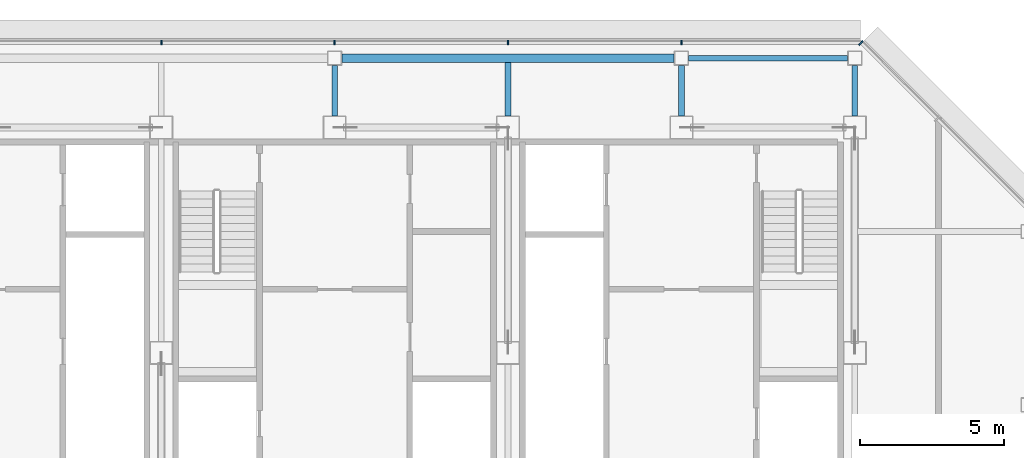
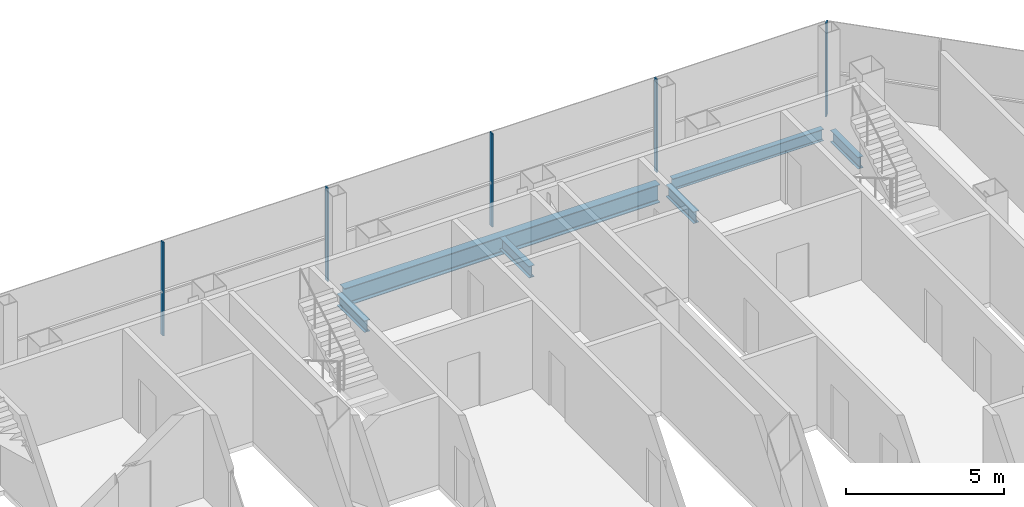
# One storey, part 16 of 27: 6 beams, 5 members, 2 elements without a shape of their own.
"""IFC4 building model written with IfcOpenShell, lengths in metres."""

from ifc_helpers import new_model, si_unit, direction, frame, origin, origin_2d, place, context, subcontext, project, spatial, rectangle, i_section, extrude, material, material_profile, profile_set, type_object, element, aggregate, save


model = new_model("IFC4")

# Units and contexts
model_context = context("Model", 3, precision=1e-05, world=origin(), true_north=direction((0.0, 1.0)))
body_context = subcontext(model_context, "Body", "Model", "MODEL_VIEW")
ifc_project = project(units=[si_unit("LENGTHUNIT", "METRE"), si_unit("AREAUNIT", "SQUARE_METRE"), si_unit("VOLUMEUNIT", "CUBIC_METRE"), si_unit("PLANEANGLEUNIT", "RADIAN"), si_unit("MASSUNIT", "GRAM", prefix="KILO")], contexts=[model_context])

# Site, building, storey
site_placement = place(None, origin())
site = spatial("IfcSite", under=ifc_project, at=site_placement, CompositionType="ELEMENT")
building_placement = place(site_placement, origin())
building = spatial("IfcBuilding", under=site, at=building_placement, Name="Sorahane Residences", CompositionType="ELEMENT")
storey_placement = place(building_placement, frame((0.0, 0.0, 312.39990234375)))
storey = spatial("IfcBuildingStorey", under=building, at=storey_placement, Name="L74", CompositionType="ELEMENT", Elevation=312.39990234375)

# Curtain wall, members
ifc_material_1 = material(Name="Dark low-e glass and black anodised aluminium", Category="aluminium")
curtain_wall_type_1 = type_object("IfcCurtainWallType", Name="Curtain wall CW-1 Typical unitised wall", PredefinedType="NOTDEFINED", material=ifc_material_1)
curtain_wall_1_placement = place(storey_placement, origin())
curtain_wall_1 = element("IfcCurtainWall", 1, at=curtain_wall_1_placement, inside=storey, type_object=curtain_wall_type_1, Name="CW-1 curtain wall L74 N1", PredefinedType="NOTDEFINED")
ifc_material_2 = material(Name="Black anodised aluminium", Category="aluminium")
ifc_material_profile_1 = material_profile(ifc_material_2, rectangle(XDim=0.159912109375, YDim=0.050048828125, at=origin_2d()), Name="Curtain wall mullion CW-1 black anodised aluminium 50x160")
ifc_profile_set_1 = profile_set([ifc_material_profile_1], Name="Black anodised aluminium")
member_type_1 = type_object("IfcMemberType", Name="Curtain wall mullion CW-1 black anodised aluminium 50x160", PredefinedType="MULLION", material=ifc_profile_set_1)
member_1_placement = place(storey_placement, frame((36.0, 48.5400390625, -0.179931640625), z_axis=(0.0, 0.0, 1.0), x_axis=(0.0, 1.0, 0.0)))
member_1 = element("IfcMember", 2, at=member_1_placement, type_object=member_type_1, Name="CW-1 mullion L74 N1.2", PredefinedType="MULLION", context=body_context, shape_type="SweptSolid", body=[
    extrude(rectangle(XDim=0.159912109375, YDim=0.050048828125, at=origin_2d()), origin(), (0.0, 0.0, 1.0), 3.60009765625),
])
member_2_placement = place(storey_placement, frame((30.0, 48.5400390625, -0.179931640625), z_axis=(0.0, 0.0, 1.0), x_axis=(0.0, 1.0, 0.0)))
member_2 = element("IfcMember", 3, at=member_2_placement, type_object=member_type_1, Name="CW-1 mullion L74 N1.3", PredefinedType="MULLION", context=body_context, shape_type="SweptSolid", body=[
    extrude(rectangle(XDim=0.159912109375, YDim=0.050048828125, at=origin_2d()), origin(), (0.0, 0.0, 1.0), 3.60009765625),
])
member_3_placement = place(storey_placement, frame((24.0, 48.5400390625, -0.179931640625), z_axis=(0.0, 0.0, 1.0), x_axis=(0.0, 1.0, 0.0)))
member_3 = element("IfcMember", 4, at=member_3_placement, type_object=member_type_1, Name="CW-1 mullion L74 N1.4", PredefinedType="MULLION", context=body_context, shape_type="SweptSolid", body=[
    extrude(rectangle(XDim=0.159912109375, YDim=0.050048828125, at=origin_2d()), origin(), (0.0, 0.0, 1.0), 3.60009765625),
])
member_4_placement = place(storey_placement, frame((18.0, 48.5400390625, -0.179931640625), z_axis=(0.0, 0.0, 1.0), x_axis=(0.0, 1.0, 0.0)))
member_4 = element("IfcMember", 5, at=member_4_placement, type_object=member_type_1, Name="CW-1 mullion L74 N1.5", PredefinedType="MULLION", context=body_context, shape_type="SweptSolid", body=[
    extrude(rectangle(XDim=0.159912109375, YDim=0.050048828125, at=origin_2d()), origin(), (0.0, 0.0, 1.0), 3.60009765625),
])
aggregate(curtain_wall_1, [member_1, member_2, member_3, member_4])

# Curtain wall, member
ifc_material_3 = material(Name="Dark low-e glass and black anodised aluminium", Category="aluminium")
curtain_wall_type_2 = type_object("IfcCurtainWallType", Name="Curtain wall CW-2 Chamfer unitised wall", PredefinedType="NOTDEFINED", material=ifc_material_3)
curtain_wall_2_placement = place(storey_placement, origin())
curtain_wall_2 = element("IfcCurtainWall", 6, at=curtain_wall_2_placement, inside=storey, type_object=curtain_wall_type_2, Name="CW-2 curtain wall L74 NE1", PredefinedType="NOTDEFINED")
ifc_material_4 = material(Name="Black anodised aluminium", Category="aluminium")
ifc_material_profile_2 = material_profile(ifc_material_4, rectangle(XDim=0.199951171875, YDim=0.050048828125, at=origin_2d()), Name="Curtain wall mullion CW-2 black anodised aluminium 50x200")
ifc_profile_set_2 = profile_set([ifc_material_profile_2], Name="Black anodised aluminium")
member_type_2 = type_object("IfcMemberType", Name="Curtain wall mullion CW-2 black anodised aluminium 50x200", PredefinedType="MULLION", material=ifc_profile_set_2)
member_5_placement = place(storey_placement, frame((42.209716796875, 48.525634765625, -0.179931640625), z_axis=(0.0, 0.0, 1.0), x_axis=(0.707106781187, 0.707106781187, 0.0)))
member_5 = element("IfcMember", 7, at=member_5_placement, type_object=member_type_2, Name="CW-2 mullion L74 NE1.3", PredefinedType="MULLION", context=body_context, shape_type="SweptSolid", body=[
    extrude(rectangle(XDim=0.199951171875, YDim=0.050048828125, at=origin_2d()), origin(), (0.0, 0.0, 1.0), 3.60009765625),
])
aggregate(curtain_wall_2, [member_5])

# Beams
ifc_material_5 = material(Name="Steel Q355B", Category="steel")
ifc_material_profile_3 = material_profile(ifc_material_5, i_section(OverallWidth=0.199951171875, OverallDepth=0.449951171875, WebThickness=0.009033203125, FlangeThickness=0.013916015625, FilletRadius=0.02001953125, at=origin_2d()), Name="HN 450x200x9x14")
ifc_profile_set_3 = profile_set([ifc_material_profile_3], Name="Steel Q355B")
beam_type_1 = type_object("IfcBeamType", Name="Steel floor beam HN 450x200x9x14 Q355B", PredefinedType="BEAM", material=ifc_profile_set_3)
beam_1_placement = place(storey_placement, frame((36.25, 48.0, -0.40478515625), z_axis=(1.0, 0.0, 0.0), x_axis=(0.0, 1.0, 0.0)))
element("IfcBeam", 8, at=beam_1_placement, inside=storey, type_object=beam_type_1, Name="Beam L74 019", PredefinedType="BEAM", context=body_context, shape_type="SweptSolid", body=[
    extrude(i_section(OverallWidth=0.199951171875, OverallDepth=0.449951171875, WebThickness=0.009033203125, FlangeThickness=0.013916015625, FilletRadius=0.02001953125, at=origin_2d()), origin(), (0.0, 0.0, 1.0), 5.5),
])
beam_2_placement = place(storey_placement, frame((24.0, 46.0, -0.40478515625), z_axis=(0.0, 1.0, 0.0), x_axis=(-1.0, 0.0, 0.0)))
element("IfcBeam", 9, at=beam_2_placement, inside=storey, type_object=beam_type_1, Name="Beam L74 047", PredefinedType="BEAM", context=body_context, shape_type="SweptSolid", body=[
    extrude(i_section(OverallWidth=0.199951171875, OverallDepth=0.449951171875, WebThickness=0.009033203125, FlangeThickness=0.013916015625, FilletRadius=0.02001953125, at=origin_2d()), origin(), (0.0, 0.0, 1.0), 1.75),
])
beam_3_placement = place(storey_placement, frame((30.0, 46.0, -0.40478515625), z_axis=(0.0, 1.0, 0.0), x_axis=(-1.0, 0.0, 0.0)))
element("IfcBeam", 10, at=beam_3_placement, inside=storey, type_object=beam_type_1, Name="Beam L74 053", PredefinedType="BEAM", context=body_context, shape_type="SweptSolid", body=[
    extrude(i_section(OverallWidth=0.199951171875, OverallDepth=0.449951171875, WebThickness=0.009033203125, FlangeThickness=0.013916015625, FilletRadius=0.02001953125, at=origin_2d()), origin(), (0.0, 0.0, 1.0), 1.85009765625),
])
for number, where, z_axis, x_axis, name in (
    (11, (36.0, 46.0, -0.40478515625), (0.0, 1.0, 0.0), (-1.0, 0.0, 0.0), "Beam L74 055"),
    (12, (42.0, 46.0, -0.40478515625), (0.0, 1.0, 0.0), (-1.0, 0.0, 0.0), "Beam L74 061"),
):
    element("IfcBeam", number, at=place(storey_placement, frame(where, z_axis=z_axis, x_axis=x_axis)), inside=storey, type_object=beam_type_1, Name=name, PredefinedType="BEAM", context=body_context, shape_type="SweptSolid", body=[
        extrude(i_section(OverallWidth=0.199951171875, OverallDepth=0.449951171875, WebThickness=0.009033203125, FlangeThickness=0.013916015625, FilletRadius=0.02001953125, at=origin_2d()), origin(), (0.0, 0.0, 1.0), 1.75),
    ])
ifc_material_6 = material(Name="Steel Q355B", Category="steel")
ifc_material_profile_4 = material_profile(ifc_material_6, i_section(OverallWidth=0.300048828125, OverallDepth=0.699951171875, WebThickness=0.012939453125, FlangeThickness=0.02392578125, FilletRadius=0.028076171875, at=origin_2d()), Name="HN 700x300x13x24")
ifc_profile_set_4 = profile_set([ifc_material_profile_4], Name="Steel Q355B")
beam_type_2 = type_object("IfcBeamType", Name="Steel floor beam HN 700x300x13x24 Q355B", PredefinedType="BEAM", material=ifc_profile_set_4)
beam_4_placement = place(storey_placement, frame((24.25, 48.0, -0.52978515625), z_axis=(1.0, 0.0, 0.0), x_axis=(0.0, 1.0, 0.0)))
element("IfcBeam", 13, at=beam_4_placement, inside=storey, type_object=beam_type_2, Name="Beam L74 018", PredefinedType="BEAM", context=body_context, shape_type="SweptSolid", body=[
    extrude(i_section(OverallWidth=0.300048828125, OverallDepth=0.699951171875, WebThickness=0.012939453125, FlangeThickness=0.02392578125, FilletRadius=0.028076171875, at=origin_2d()), origin(), (0.0, 0.0, 1.0), 11.5),
])

save(model, "model.ifc")
